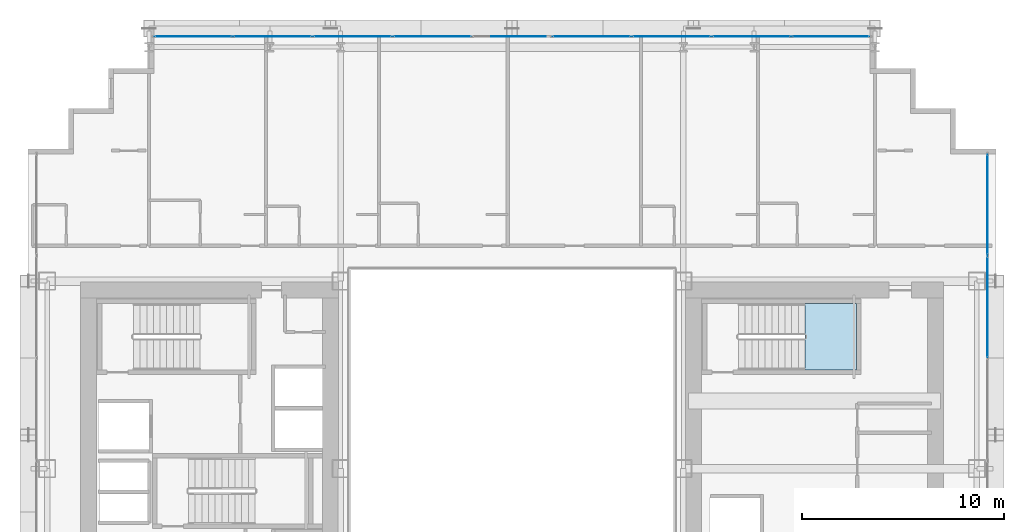
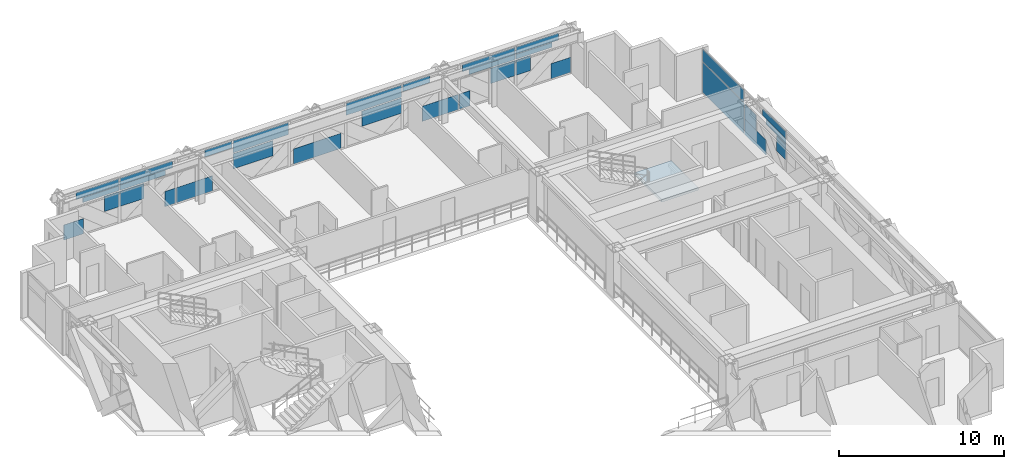
# One storey, part 27 of 38: 32 plates, 1 slab, 3 elements without a shape of their own.
"""IFC4 building model written with IfcOpenShell, lengths in metres."""

from ifc_helpers import new_model, si_unit, direction, frame, origin, origin_2d, place, context, subcontext, project, spatial, polyline, rectangle, outline, extrude, source, transform, mapped, material, layer, layer_set, type_object, element, aggregate, save


model = new_model("IFC4")

# Units and contexts
model_context = context("Model", 3, precision=1e-05, world=origin(), true_north=direction((0.0, 1.0)))
body_context = subcontext(model_context, "Body", "Model", "MODEL_VIEW")
ifc_project = project(units=[si_unit("LENGTHUNIT", "METRE"), si_unit("AREAUNIT", "SQUARE_METRE"), si_unit("VOLUMEUNIT", "CUBIC_METRE"), si_unit("PLANEANGLEUNIT", "RADIAN"), si_unit("MASSUNIT", "GRAM", prefix="KILO")], contexts=[model_context])

# Site, building, storey
site_placement = place(None, origin())
site = spatial("IfcSite", under=ifc_project, at=site_placement, CompositionType="ELEMENT")
building_placement = place(site_placement, origin())
building = spatial("IfcBuilding", under=site, at=building_placement, Name="Ocotamira Hotel", CompositionType="ELEMENT")
storey_placement = place(building_placement, frame((0.0, 0.0, 45.60009765625)))
storey = spatial("IfcBuildingStorey", under=building, at=storey_placement, Name="L10", CompositionType="ELEMENT", Elevation=45.60009765625)

# Stair, slab
ifc_material_1 = material(Name="Concrete C40/50", Category="concrete")
stair_type = type_object("IfcStairType", Name="ST-CORE-1560", PredefinedType="HALF_TURN_STAIR", material=ifc_material_1)
stair_placement = place(storey_placement, origin())
stair = element("IfcStair", 1, at=stair_placement, inside=storey, type_object=stair_type, Name="L10 Exit Stair ST-4", PredefinedType="HALF_TURN_STAIR")
ifc_layer_1 = layer(ifc_material_1, 0.199951171875)
ifc_layer_set_1 = layer_set([ifc_layer_1], Name="Concrete C40/50")
slab_type = type_object("IfcSlabType", Name="SLB-LAND-200", PredefinedType="LANDING", material=ifc_layer_set_1)
slab_placement = place(storey_placement, frame((0.0, 0.0, 1.599853515625)))
slab = element("IfcSlab", 2, at=slab_placement, type_object=slab_type, Name="ST-4 landing 1", PredefinedType="LANDING", context=body_context, shape_type="SweptSolid", body=[
    extrude(outline(polyline([(46.530029296875, 33.050048828125), (49.090087890625, 33.050048828125), (49.090087890625, 36.330078125), (46.530029296875, 36.330078125), (46.530029296875, 33.050048828125)])), origin(), (0.0, 0.0, 1.0), 0.199951171875),
])
aggregate(stair, [slab])

# Curtain wall, plates
ifc_material_2 = material(Name="Anodised pale-metal aluminium and solar glass", Category="aluminium")
ifc_layer_2 = layer(ifc_material_2, 0.179931640625)
ifc_layer_set_2 = layer_set([ifc_layer_2], Name="Anodised pale-metal aluminium and solar glass")
curtain_wall_type = type_object("IfcCurtainWallType", Name="CW-SYS2-Z1", PredefinedType="NOTDEFINED", material=ifc_layer_set_2)
curtain_wall_1_placement = place(storey_placement, origin())
curtain_wall_1 = element("IfcCurtainWall", 3, at=curtain_wall_1_placement, inside=storey, type_object=curtain_wall_type, Name="L10 Curtain Wall CW-2 CW-L10-N", PredefinedType="NOTDEFINED")
ifc_material_3 = material(Name="Double-silver low-E insulated solar glass", Category="glass")
ifc_layer_3 = layer(ifc_material_3, 0.031982421875)
ifc_layer_set_3 = layer_set([ifc_layer_3], Name="Double-silver low-E insulated solar glass")
plate_type = type_object("IfcPlateType", Name="CWP-VISION-32", PredefinedType="CURTAIN_PANEL", material=ifc_layer_set_3)
shared_shape_1 = source(origin(), body_context, "Body", "SweptSolid", [
    extrude(rectangle(XDim=3.87548828125, YDim=0.031982421875, at=origin_2d()), origin(), (0.0, 0.0, 1.0), 0.887451171875),
])
plate_1_placement = place(storey_placement, frame((28.04443359375, 49.580078125, 2.38720703125), z_axis=(0.0, 0.0, 1.0), x_axis=(1.0, 0.0, 0.0)))
plate_1 = element("IfcPlate", 4, at=plate_1_placement, type_object=plate_type, Name="CW-2 panel 4.2", PredefinedType="CURTAIN_PANEL", context=body_context, shape_type="MappedRepresentation", body=[
    mapped(shared_shape_1, transform((0.0, 0.0, 0.0), scale=1.0)),
])
plate_2_placement = place(storey_placement, frame((35.95556640625, 49.580078125, 2.38720703125), z_axis=(0.0, 0.0, 1.0), x_axis=(1.0, 0.0, 0.0)))
plate_2 = element("IfcPlate", 5, at=plate_2_placement, type_object=plate_type, Name="CW-2 panel 6.2", PredefinedType="CURTAIN_PANEL", context=body_context, shape_type="MappedRepresentation", body=[
    mapped(shared_shape_1, transform((0.0, 0.0, 0.0), scale=1.0)),
])

curtain_wall_2_placement = place(storey_placement, origin())
curtain_wall_2 = element("IfcCurtainWall", 6, at=curtain_wall_2_placement, inside=storey, type_object=curtain_wall_type, Name="L10 Curtain Wall CW-2 CW-L10-E", PredefinedType="NOTDEFINED")
shared_shape_2 = source(origin(), body_context, "Body", "SweptSolid", [
    extrude(rectangle(XDim=4.9658203125, YDim=0.031982421875, at=origin_2d()), origin(), (0.0, 0.0, 1.0), 2.237548828125),
])
plate_3_placement = place(storey_placement, frame((55.580078125, 41.237060546875, 0.07470703125), z_axis=(0.0, 0.0, 1.0), x_axis=(0.0, 1.0, 0.0)))
plate_3 = element("IfcPlate", 7, at=plate_3_placement, type_object=plate_type, Name="CW-2 panel 7.1", PredefinedType="CURTAIN_PANEL", context=body_context, shape_type="MappedRepresentation", body=[
    mapped(shared_shape_2, transform((0.0, 0.0, 0.0), scale=1.0)),
])
shared_shape_3 = source(origin(), body_context, "Body", "SweptSolid", [
    extrude(rectangle(XDim=4.9658203125, YDim=0.031982421875, at=origin_2d()), origin(), (0.0, 0.0, 1.0), 0.887451171875),
])
plate_4_placement = place(storey_placement, frame((55.580078125, 41.237060546875, 2.38720703125), z_axis=(0.0, 0.0, 1.0), x_axis=(0.0, 1.0, 0.0)))
plate_4 = element("IfcPlate", 8, at=plate_4_placement, type_object=plate_type, Name="CW-2 panel 7.2", PredefinedType="CURTAIN_PANEL", context=body_context, shape_type="MappedRepresentation", body=[
    mapped(shared_shape_3, transform((0.0, 0.0, 0.0), scale=1.0)),
])

# Plate
shared_shape_4 = source(origin(), body_context, "Body", "SweptSolid", [
    extrude(rectangle(XDim=1.012451171875, YDim=0.031982421875, at=origin_2d()), origin(), (0.0, 0.0, 1.0), 1.11865234375),
])
plate_5_placement = place(storey_placement, frame((17.609375, 49.580078125, 1.193603515625), z_axis=(0.0, 0.0, 1.0), x_axis=(1.0, 0.0, 0.0)))
plate_5 = element("IfcPlate", 9, at=plate_5_placement, type_object=plate_type, Name="CW-2 panel 1.1.2", PredefinedType="CURTAIN_PANEL", context=body_context, shape_type="MappedRepresentation", body=[
    mapped(shared_shape_4, transform((0.0, 0.0, 0.0), scale=1.0)),
])

plate_6_placement = place(storey_placement, frame((46.390625, 49.580078125, 1.193603515625), z_axis=(0.0, 0.0, 1.0), x_axis=(1.0, 0.0, 0.0)))
plate_6 = element("IfcPlate", 10, at=plate_6_placement, type_object=plate_type, Name="CW-2 panel 9.1.1", PredefinedType="CURTAIN_PANEL", context=body_context, shape_type="MappedRepresentation", body=[
    mapped(shared_shape_4, transform((0.0, 0.0, 0.0), scale=1.0)),
])

shared_shape_5 = source(origin(), body_context, "Body", "SweptSolid", [
    extrude(rectangle(XDim=2.9755859375, YDim=0.031982421875, at=origin_2d()), origin(), (0.0, 0.0, 1.0), 0.5107421875),
])
plate_7_placement = place(storey_placement, frame((16.627685546875, 49.580078125, 2.76416015625), z_axis=(0.0, 0.0, 1.0), x_axis=(1.0, 0.0, 0.0)))
plate_7 = element("IfcPlate", 11, at=plate_7_placement, type_object=plate_type, Name="CW-2 panel 1.2.1", PredefinedType="CURTAIN_PANEL", context=body_context, shape_type="MappedRepresentation", body=[
    mapped(shared_shape_5, transform((0.0, 0.0, 0.0), scale=1.0)),
])

plate_8_placement = place(storey_placement, frame((47.372314453125, 49.580078125, 2.76416015625), z_axis=(0.0, 0.0, 1.0), x_axis=(1.0, 0.0, 0.0)))
plate_8 = element("IfcPlate", 12, at=plate_8_placement, type_object=plate_type, Name="CW-2 panel 9.2.2", PredefinedType="CURTAIN_PANEL", context=body_context, shape_type="MappedRepresentation", body=[
    mapped(shared_shape_5, transform((0.0, 0.0, 0.0), scale=1.0)),
])

shared_shape_6 = source(origin(), body_context, "Body", "SweptSolid", [
    extrude(rectangle(XDim=2.504638671875, YDim=0.031982421875, at=origin_2d()), origin(), (0.0, 0.0, 1.0), 0.345458984375),
])
plate_9_placement = place(storey_placement, frame((16.86328125, 49.580078125, 2.38720703125), z_axis=(0.0, 0.0, 1.0), x_axis=(1.0, 0.0, 0.0)))
plate_9 = element("IfcPlate", 13, at=plate_9_placement, type_object=plate_type, Name="CW-2 panel 1.2.2", PredefinedType="CURTAIN_PANEL", context=body_context, shape_type="MappedRepresentation", body=[
    mapped(shared_shape_6, transform((0.0, 0.0, 0.0), scale=1.0)),
])

plate_10_placement = place(storey_placement, frame((47.13671875, 49.580078125, 2.38720703125), z_axis=(0.0, 0.0, 1.0), x_axis=(1.0, 0.0, 0.0)))
plate_10 = element("IfcPlate", 14, at=plate_10_placement, type_object=plate_type, Name="CW-2 panel 9.2.1", PredefinedType="CURTAIN_PANEL", context=body_context, shape_type="MappedRepresentation", body=[
    mapped(shared_shape_6, transform((0.0, 0.0, 0.0), scale=1.0)),
])

shared_shape_7 = source(origin(), body_context, "Body", "SweptSolid", [
    extrude(rectangle(XDim=1.701416015625, YDim=0.031982421875, at=origin_2d()), origin(), (0.0, 0.0, 1.0), 1.11865234375),
])
plate_11_placement = place(storey_placement, frame((19.046142578125, 49.580078125, 1.193603515625), z_axis=(0.0, 0.0, 1.0), x_axis=(1.0, 0.0, 0.0)))
plate_11 = element("IfcPlate", 15, at=plate_11_placement, type_object=plate_type, Name="CW-2 panel 2.1.1", PredefinedType="CURTAIN_PANEL", context=body_context, shape_type="MappedRepresentation", body=[
    mapped(shared_shape_7, transform((0.0, 0.0, 0.0), scale=1.0)),
])

plate_12_placement = place(storey_placement, frame((44.953857421875, 49.580078125, 1.193603515625), z_axis=(0.0, 0.0, 1.0), x_axis=(1.0, 0.0, 0.0)))
plate_12 = element("IfcPlate", 16, at=plate_12_placement, type_object=plate_type, Name="CW-2 panel 8.1.2", PredefinedType="CURTAIN_PANEL", context=body_context, shape_type="MappedRepresentation", body=[
    mapped(shared_shape_7, transform((0.0, 0.0, 0.0), scale=1.0)),
])

shared_shape_8 = source(origin(), body_context, "Body", "SweptSolid", [
    extrude(rectangle(XDim=3.193603515625, YDim=0.031982421875, at=origin_2d()), origin(), (0.0, 0.0, 1.0), 0.376708984375),
])
plate_13_placement = place(storey_placement, frame((19.792236328125, 49.580078125, 2.38720703125), z_axis=(0.0, 0.0, 1.0), x_axis=(1.0, 0.0, 0.0)))
plate_13 = element("IfcPlate", 17, at=plate_13_placement, type_object=plate_type, Name="CW-2 panel 2.2.1", PredefinedType="CURTAIN_PANEL", context=body_context, shape_type="MappedRepresentation", body=[
    mapped(shared_shape_8, transform((0.0, 0.0, 0.0), scale=1.0)),
])

plate_14_placement = place(storey_placement, frame((44.207763671875, 49.580078125, 2.38720703125), z_axis=(0.0, 0.0, 1.0), x_axis=(1.0, 0.0, 0.0)))
plate_14 = element("IfcPlate", 18, at=plate_14_placement, type_object=plate_type, Name="CW-2 panel 8.2.2", PredefinedType="CURTAIN_PANEL", context=body_context, shape_type="MappedRepresentation", body=[
    mapped(shared_shape_8, transform((0.0, 0.0, 0.0), scale=1.0)),
])

shared_shape_9 = source(origin(), body_context, "Body", "SweptSolid", [
    extrude(rectangle(XDim=3.664306640625, YDim=0.031982421875, at=origin_2d()), origin(), (0.0, 0.0, 1.0), 0.5107421875),
])
plate_15_placement = place(storey_placement, frame((20.027587890625, 49.580078125, 2.76416015625), z_axis=(0.0, 0.0, 1.0), x_axis=(1.0, 0.0, 0.0)))
plate_15 = element("IfcPlate", 19, at=plate_15_placement, type_object=plate_type, Name="CW-2 panel 2.2.2", PredefinedType="CURTAIN_PANEL", context=body_context, shape_type="MappedRepresentation", body=[
    mapped(shared_shape_9, transform((0.0, 0.0, 0.0), scale=1.0)),
])

plate_16_placement = place(storey_placement, frame((43.972412109375, 49.580078125, 2.76416015625), z_axis=(0.0, 0.0, 1.0), x_axis=(1.0, 0.0, 0.0)))
plate_16 = element("IfcPlate", 20, at=plate_16_placement, type_object=plate_type, Name="CW-2 panel 8.2.1", PredefinedType="CURTAIN_PANEL", context=body_context, shape_type="MappedRepresentation", body=[
    mapped(shared_shape_9, transform((0.0, 0.0, 0.0), scale=1.0)),
])

shared_shape_10 = source(origin(), body_context, "Body", "SweptSolid", [
    extrude(rectangle(XDim=1.88671875, YDim=0.031982421875, at=origin_2d()), origin(), (0.0, 0.0, 1.0), 0.5107421875),
])
plate_17_placement = place(storey_placement, frame((25.08349609375, 49.580078125, 2.76416015625), z_axis=(0.0, 0.0, 1.0), x_axis=(1.0, 0.0, 0.0)))
plate_17 = element("IfcPlate", 21, at=plate_17_placement, type_object=plate_type, Name="CW-2 panel 3.2.1", PredefinedType="CURTAIN_PANEL", context=body_context, shape_type="MappedRepresentation", body=[
    mapped(shared_shape_10, transform((0.0, 0.0, 0.0), scale=1.0)),
])

plate_18_placement = place(storey_placement, frame((38.91650390625, 49.580078125, 2.76416015625), z_axis=(0.0, 0.0, 1.0), x_axis=(1.0, 0.0, 0.0)))
plate_18 = element("IfcPlate", 22, at=plate_18_placement, type_object=plate_type, Name="CW-2 panel 7.2.1", PredefinedType="CURTAIN_PANEL", context=body_context, shape_type="MappedRepresentation", body=[
    mapped(shared_shape_10, transform((0.0, 0.0, 0.0), scale=1.0)),
])

shared_shape_11 = source(origin(), body_context, "Body", "SweptSolid", [
    extrude(rectangle(XDim=2.790283203125, YDim=0.031982421875, at=origin_2d()), origin(), (0.0, 0.0, 1.0), 1.11865234375),
])
plate_19_placement = place(storey_placement, frame((27.501708984375, 49.580078125, 1.193603515625), z_axis=(0.0, 0.0, 1.0), x_axis=(1.0, 0.0, 0.0)))
plate_19 = element("IfcPlate", 23, at=plate_19_placement, type_object=plate_type, Name="CW-2 panel 4.1.1", PredefinedType="CURTAIN_PANEL", context=body_context, shape_type="MappedRepresentation", body=[
    mapped(shared_shape_11, transform((0.0, 0.0, 0.0), scale=1.0)),
])

plate_20_placement = place(storey_placement, frame((36.498291015625, 49.580078125, 1.193603515625), z_axis=(0.0, 0.0, 1.0), x_axis=(1.0, 0.0, 0.0)))
plate_20 = element("IfcPlate", 24, at=plate_20_placement, type_object=plate_type, Name="CW-2 panel 6.1.1", PredefinedType="CURTAIN_PANEL", context=body_context, shape_type="MappedRepresentation", body=[
    mapped(shared_shape_11, transform((0.0, 0.0, 0.0), scale=1.0)),
])

shared_shape_12 = source(origin(), body_context, "Body", "SweptSolid", [
    extrude(rectangle(XDim=1.4033203125, YDim=0.031982421875, at=origin_2d()), origin(), (0.0, 0.0, 1.0), 1.11865234375),
])
plate_21_placement = place(storey_placement, frame((55.580078125, 37.97265625, 1.193603515625), z_axis=(0.0, 0.0, 1.0), x_axis=(0.0, 1.0, 0.0)))
plate_21 = element("IfcPlate", 25, at=plate_21_placement, type_object=plate_type, Name="CW-2 panel 6.1.3", PredefinedType="CURTAIN_PANEL", context=body_context, shape_type="MappedRepresentation", body=[
    mapped(shared_shape_12, transform((0.0, 0.0, 0.0), scale=1.0)),
])

shared_shape_13 = source(origin(), body_context, "Body", "SweptSolid", [
    extrude(rectangle(XDim=1.104736328125, YDim=0.031982421875, at=origin_2d()), origin(), (0.0, 0.0, 1.0), 1.11865234375),
])
plate_22_placement = place(storey_placement, frame((55.580078125, 34.220947265625, 1.193603515625), z_axis=(0.0, 0.0, 1.0), x_axis=(0.0, 1.0, 0.0)))
plate_22 = element("IfcPlate", 26, at=plate_22_placement, type_object=plate_type, Name="CW-2 panel 6.1.1", PredefinedType="CURTAIN_PANEL", context=body_context, shape_type="MappedRepresentation", body=[
    mapped(shared_shape_13, transform((0.0, 0.0, 0.0), scale=1.0)),
])

shared_shape_14 = source(origin(), body_context, "Body", "SweptSolid", [
    extrude(rectangle(XDim=2.796630859375, YDim=0.031982421875, at=origin_2d()), origin(), (0.0, 0.0, 1.0), 0.485107421875),
])
plate_23_placement = place(storey_placement, frame((55.580078125, 35.06689453125, 2.78955078125), z_axis=(0.0, 0.0, 1.0), x_axis=(0.0, 1.0, 0.0)))
plate_23 = element("IfcPlate", 27, at=plate_23_placement, type_object=plate_type, Name="CW-2 panel 6.2.2", PredefinedType="CURTAIN_PANEL", context=body_context, shape_type="MappedRepresentation", body=[
    mapped(shared_shape_14, transform((0.0, 0.0, 0.0), scale=1.0)),
])

shared_shape_15 = source(origin(), body_context, "Body", "SweptSolid", [
    extrude(rectangle(XDim=2.3701171875, YDim=0.031982421875, at=origin_2d()), origin(), (0.0, 0.0, 1.0), 0.367919921875),
])
plate_24_placement = place(storey_placement, frame((55.580078125, 34.853759765625, 2.38720703125), z_axis=(0.0, 0.0, 1.0), x_axis=(0.0, 1.0, 0.0)))
plate_24 = element("IfcPlate", 28, at=plate_24_placement, type_object=plate_type, Name="CW-2 panel 6.2.1", PredefinedType="CURTAIN_PANEL", context=body_context, shape_type="MappedRepresentation", body=[
    mapped(shared_shape_15, transform((0.0, 0.0, 0.0), scale=1.0)),
])

shared_shape_16 = source(origin(), body_context, "Body", "SweptSolid", [
    extrude(rectangle(XDim=1.382568359375, YDim=0.031982421875, at=origin_2d()), origin(), (0.0, 0.0, 1.0), 1.118896484375),
])
plate_25_placement = place(storey_placement, frame((14.97119140625, 49.580078125, 0.07470703125), z_axis=(0.0, 0.0, 1.0), x_axis=(1.0, 0.0, 0.0)))
plate_25 = element("IfcPlate", 29, at=plate_25_placement, type_object=plate_type, Name="CW-2 panel 1.1.1", PredefinedType="CURTAIN_PANEL", context=body_context, shape_type="MappedRepresentation", body=[
    mapped(shared_shape_16, transform((0.0, 0.0, 0.0), scale=1.0)),
])

plate_26_placement = place(storey_placement, frame((49.02880859375, 49.580078125, 0.07470703125), z_axis=(0.0, 0.0, 1.0), x_axis=(1.0, 0.0, 0.0)))
plate_26 = element("IfcPlate", 30, at=plate_26_placement, type_object=plate_type, Name="CW-2 panel 9.1.2", PredefinedType="CURTAIN_PANEL", context=body_context, shape_type="MappedRepresentation", body=[
    mapped(shared_shape_16, transform((0.0, 0.0, 0.0), scale=1.0)),
])

shared_shape_17 = source(origin(), body_context, "Body", "SweptSolid", [
    extrude(rectangle(XDim=0.733642578125, YDim=0.031982421875, at=origin_2d()), origin(), (0.0, 0.0, 1.0), 1.118896484375),
])
plate_27_placement = place(storey_placement, frame((21.704345703125, 49.580078125, 0.07470703125), z_axis=(0.0, 0.0, 1.0), x_axis=(1.0, 0.0, 0.0)))
plate_27 = element("IfcPlate", 31, at=plate_27_placement, type_object=plate_type, Name="CW-2 panel 2.1.2", PredefinedType="CURTAIN_PANEL", context=body_context, shape_type="MappedRepresentation", body=[
    mapped(shared_shape_17, transform((0.0, 0.0, 0.0), scale=1.0)),
])

plate_28_placement = place(storey_placement, frame((42.295654296875, 49.580078125, 0.07470703125), z_axis=(0.0, 0.0, 1.0), x_axis=(1.0, 0.0, 0.0)))
plate_28 = element("IfcPlate", 32, at=plate_28_placement, type_object=plate_type, Name="CW-2 panel 8.1.1", PredefinedType="CURTAIN_PANEL", context=body_context, shape_type="MappedRepresentation", body=[
    mapped(shared_shape_17, transform((0.0, 0.0, 0.0), scale=1.0)),
])

shared_shape_18 = source(origin(), body_context, "Body", "SweptSolid", [
    extrude(rectangle(XDim=2.51123046875, YDim=0.031982421875, at=origin_2d()), origin(), (0.0, 0.0, 1.0), 1.118896484375),
])
plate_29_placement = place(storey_placement, frame((23.40673828125, 49.580078125, 0.07470703125), z_axis=(0.0, 0.0, 1.0), x_axis=(1.0, 0.0, 0.0)))
plate_29 = element("IfcPlate", 33, at=plate_29_placement, type_object=plate_type, Name="CW-2 panel 3.1.1", PredefinedType="CURTAIN_PANEL", context=body_context, shape_type="MappedRepresentation", body=[
    mapped(shared_shape_18, transform((0.0, 0.0, 0.0), scale=1.0)),
])

shared_shape_19 = source(origin(), body_context, "Body", "SweptSolid", [
    extrude(rectangle(XDim=3.324951171875, YDim=0.031982421875, at=origin_2d()), origin(), (0.0, 0.0, 1.0), 1.118896484375),
])
plate_30_placement = place(storey_placement, frame((32.0, 49.580078125, 0.07470703125), z_axis=(0.0, 0.0, 1.0), x_axis=(1.0, 0.0, 0.0)))
plate_30 = element("IfcPlate", 34, at=plate_30_placement, type_object=plate_type, Name="CW-2 panel 5.1.1", PredefinedType="CURTAIN_PANEL", context=body_context, shape_type="MappedRepresentation", body=[
    mapped(shared_shape_19, transform((0.0, 0.0, 0.0), scale=1.0)),
])

shared_shape_20 = source(origin(), body_context, "Body", "SweptSolid", [
    extrude(rectangle(XDim=2.511474609375, YDim=0.031982421875, at=origin_2d()), origin(), (0.0, 0.0, 1.0), 1.118896484375),
])
plate_31_placement = place(storey_placement, frame((40.59326171875, 49.580078125, 0.07470703125), z_axis=(0.0, 0.0, 1.0), x_axis=(1.0, 0.0, 0.0)))
plate_31 = element("IfcPlate", 35, at=plate_31_placement, type_object=plate_type, Name="CW-2 panel 7.1.1", PredefinedType="CURTAIN_PANEL", context=body_context, shape_type="MappedRepresentation", body=[
    mapped(shared_shape_20, transform((0.0, 0.0, 0.0), scale=1.0)),
])

aggregate(curtain_wall_1, [plate_25, plate_5, plate_7, plate_9, plate_11, plate_27, plate_13, plate_15, plate_29, plate_17, plate_19, plate_1, plate_30, plate_20, plate_2, plate_31, plate_18, plate_28, plate_12, plate_16, plate_14, plate_6, plate_26, plate_10, plate_8])

shared_shape_21 = source(origin(), body_context, "Body", "SweptSolid", [
    extrude(rectangle(XDim=2.58935546875, YDim=0.031982421875, at=origin_2d()), origin(), (0.0, 0.0, 1.0), 1.118896484375),
])
plate_32_placement = place(storey_placement, frame((55.580078125, 37.379638671875, 0.07470703125), z_axis=(0.0, 0.0, 1.0), x_axis=(0.0, 1.0, 0.0)))
plate_32 = element("IfcPlate", 36, at=plate_32_placement, type_object=plate_type, Name="CW-2 panel 6.1.2", PredefinedType="CURTAIN_PANEL", context=body_context, shape_type="MappedRepresentation", body=[
    mapped(shared_shape_21, transform((0.0, 0.0, 0.0), scale=1.0)),
])

aggregate(curtain_wall_2, [plate_22, plate_32, plate_21, plate_24, plate_23, plate_3, plate_4])

save(model, "model.ifc")
